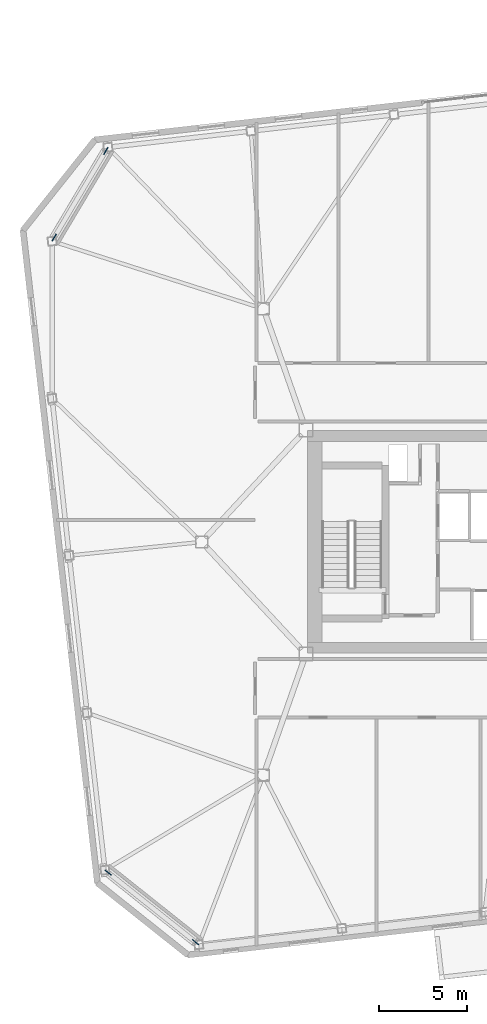
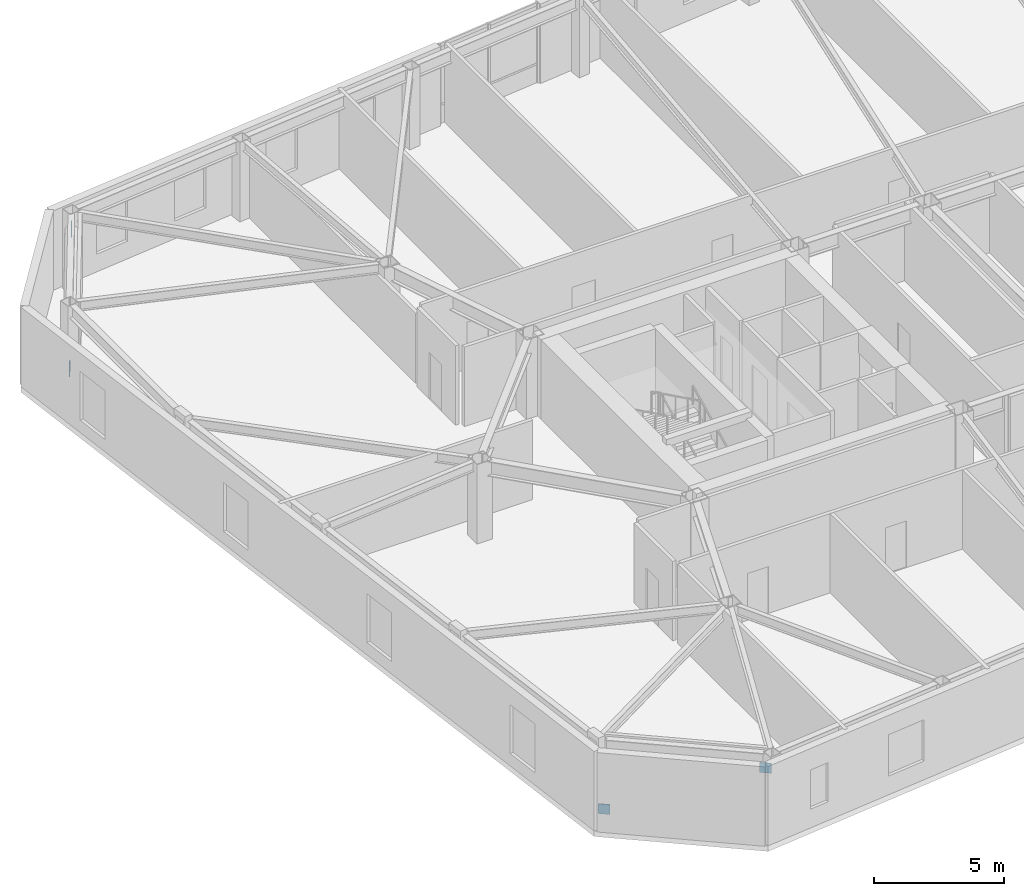
# One storey, part 16 of 18: 4 discrete accessories.
"""IFC4 building model written with IfcOpenShell, lengths in metres."""

from ifc_helpers import new_model, si_unit, direction, frame, origin, origin_2d, place, context, subcontext, project, spatial, rectangle, extrude, material, type_object, element, save


model = new_model("IFC4")

# Units and contexts
model_context = context("Model", 3, precision=1e-05, world=origin(), true_north=direction((0.0, 1.0)))
body_context = subcontext(model_context, "Body", "Model", "MODEL_VIEW")
ifc_project = project(units=[si_unit("LENGTHUNIT", "METRE"), si_unit("AREAUNIT", "SQUARE_METRE"), si_unit("VOLUMEUNIT", "CUBIC_METRE"), si_unit("PLANEANGLEUNIT", "RADIAN"), si_unit("MASSUNIT", "GRAM", prefix="KILO")], contexts=[model_context])

# Site, building, storey
site_placement = place(None, origin())
site = spatial("IfcSite", under=ifc_project, at=site_placement, CompositionType="ELEMENT")
building_placement = place(site_placement, origin())
building = spatial("IfcBuilding", under=site, at=building_placement, Name="Tavrogorsk Clinical Tower", CompositionType="ELEMENT")
storey_placement = place(building_placement, frame((0.0, 0.0, 230.199951171875)))
storey = spatial("IfcBuildingStorey", under=building, at=storey_placement, Name="L53", CompositionType="ELEMENT", Elevation=230.199951171875)

# Discrete accessories
ifc_material = material(Name="Structural steel S440", Category="steel")
discrete_accessory_type = type_object("IfcDiscreteAccessoryType", Name="GussetPlateBracket_25", PredefinedType="BRACKET", material=ifc_material)
for number, where, z_axis, x_axis, name in (
    (1, (-36.349853515625, 17.23486328125, 0.17626953125), (0.0, 0.0, 1.0), (0.511443073004, 0.859317160934, 0.0), "L53 Brace Gusset Plate EXOCRN-L53-3-A"),
    (2, (-33.428955078125, 22.143310546875, 2.75390625), (0.0, 0.0, 1.0), (0.511443073004, 0.859317160934, 0.0), "L53 Brace Gusset Plate EXOCRN-L53-3-B"),
    (3, (-33.29052734375, -18.725341796875, 0.168212890625), (0.0, 0.0, 1.0), (0.782608156852, -0.622514636638, 0.0), "L53 Brace Gusset Plate EXOCRN-L53-4-A"),
    (4, (-28.3515625, -22.654052734375, 2.761962890625), (0.0, 0.0, 1.0), (0.782608156852, -0.622514636638, 0.0), "L53 Brace Gusset Plate EXOCRN-L53-4-B"),
):
    element("IfcDiscreteAccessory", number, at=place(storey_placement, frame(where, z_axis=z_axis, x_axis=x_axis)), inside=storey, type_object=discrete_accessory_type, Name=name, PredefinedType="BRACKET", context=body_context, shape_type="SweptSolid", body=[
        extrude(rectangle(XDim=0.4599609375, YDim=0.0400390625, at=origin_2d()), origin(), (0.0, 0.0, 1.0), 0.4599609375),
    ])

save(model, "model.ifc")
